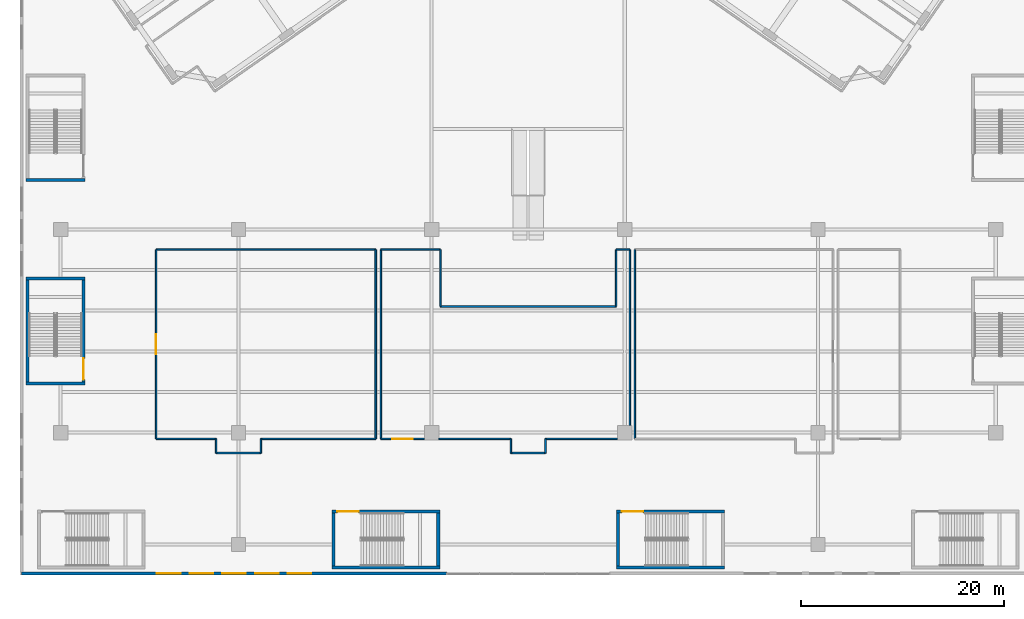
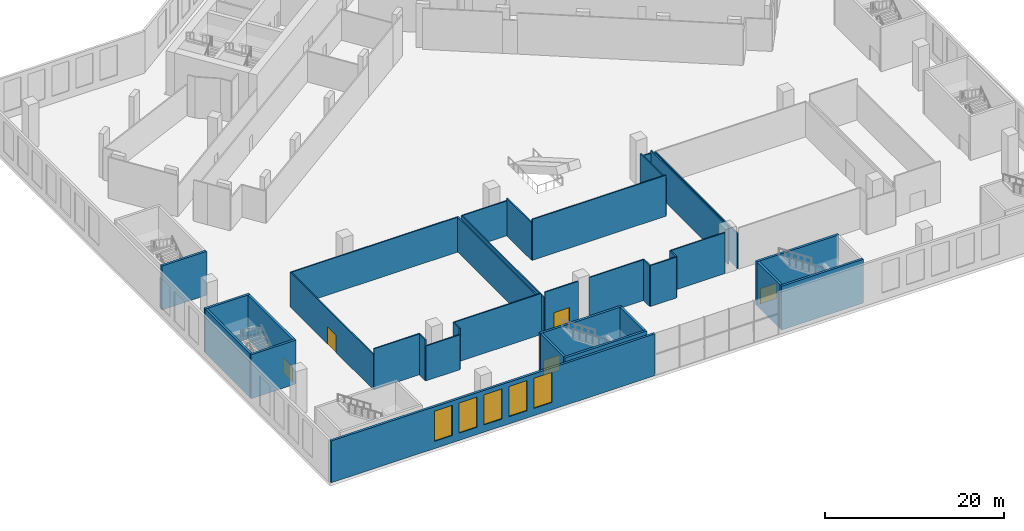
# One storey, part 5 of 25: 35 walls, 5 doors, 5 windows, 10 openings.
"""IFC4 building model written with IfcOpenShell, lengths in metres."""

from ifc_helpers import new_model, si_unit, direction, frame, frame_2d, origin, place, context, subcontext, project, spatial, rectangle, extrude, material, layer, layer_set, type_object, element, fill, save


model = new_model("IFC4")

# Units and contexts
model_context = context("Model", 3, precision=1e-05, world=origin(), true_north=direction((0.0, 1.0)))
body_context = subcontext(model_context, "Body", "Model", "MODEL_VIEW")
ifc_project = project(units=[si_unit("LENGTHUNIT", "METRE"), si_unit("AREAUNIT", "SQUARE_METRE"), si_unit("VOLUMEUNIT", "CUBIC_METRE"), si_unit("PLANEANGLEUNIT", "RADIAN"), si_unit("MASSUNIT", "GRAM", prefix="KILO")], contexts=[model_context])

# Site, building, storey
site_placement = place(None, origin())
site = spatial("IfcSite", under=ifc_project, at=site_placement, CompositionType="ELEMENT")
building_placement = place(site_placement, origin())
building = spatial("IfcBuilding", under=site, at=building_placement, Name="Tel Ilan Convention Tower", CompositionType="ELEMENT")
storey_placement = place(building_placement, frame((0.0, 0.0, 26.0)))
storey = spatial("IfcBuildingStorey", under=building, at=storey_placement, Name="L03", CompositionType="ELEMENT", Elevation=26.0)

# Walls
ifc_material_1 = material(Name="Plasterboard on Steel Studs", Category="steel")
ifc_layer_1 = layer(ifc_material_1, 0.14990234375)
ifc_layer_set_1 = layer_set([ifc_layer_1], Name="Fire-rated Partition 150 EI 60")
wall_type_1 = type_object("IfcWallType", Name="Fire-rated Partition 150 EI 60", PredefinedType="PARTITIONING", material=ifc_layer_set_1)
wall_1_placement = place(storey_placement, frame((-14.9990234375, -68.59912109375, 0.0), z_axis=(0.0, 0.0, 1.0), x_axis=(0.0, 1.0, 0.0)))
element("IfcWall", 1, at=wall_1_placement, inside=storey, type_object=wall_type_1, Name="Partition 027", PredefinedType="PARTITIONING", context=body_context, shape_type="SweptSolid", body=[
    extrude(rectangle(XDim=18.59912109375, YDim=0.14990234375, at=frame_2d((9.299560546875, 0.0))), origin(), (0.0, 0.0, 1.0), 4.780029296875),
])
wall_2_placement = place(storey_placement, frame((-15.0, -49.9990234375, 0.0), z_axis=(0.0, 0.0, 1.0), x_axis=(-1.0, 0.0, 0.0)))
element("IfcWall", 2, at=wall_2_placement, inside=storey, type_object=wall_type_1, Name="Partition 028", PredefinedType="PARTITIONING", context=body_context, shape_type="SweptSolid", body=[
    extrude(rectangle(XDim=21.59912109375, YDim=0.14990234375, at=frame_2d((10.799560546875, 0.0))), origin(), (0.0, 0.0, 1.0), 4.780029296875),
])
wall_3_placement = place(storey_placement, frame((10.0009765625, -67.280029296875, 0.0), z_axis=(0.0, 0.0, 1.0), x_axis=(0.0, 1.0, 0.0)))
element("IfcWall", 3, at=wall_3_placement, inside=storey, type_object=wall_type_1, Name="Partition 029", PredefinedType="PARTITIONING", context=body_context, shape_type="SweptSolid", body=[
    extrude(rectangle(XDim=17.280029296875, YDim=0.14990234375, at=frame_2d((8.64013671875, 0.0))), origin(), (0.0, 0.0, 1.0), 5.1298828125),
])
wall_4_placement = place(storey_placement, frame((10.0, -49.9990234375, 0.0), z_axis=(0.0, 0.0, 1.0), x_axis=(-1.0, 0.0, 0.0)))
element("IfcWall", 4, at=wall_4_placement, inside=storey, type_object=wall_type_1, Name="Partition 030", PredefinedType="PARTITIONING", context=body_context, shape_type="SweptSolid", body=[
    extrude(rectangle(XDim=1.34912109375, YDim=0.14990234375, at=frame_2d((0.674560546875, 0.0))), origin(), (0.0, 0.0, 1.0), 4.780029296875),
])
wall_5_placement = place(storey_placement, frame((-8.65087890625, -49.9990234375, 0.0), z_axis=(0.0, 0.0, 1.0), x_axis=(-1.0, 0.0, 0.0)))
element("IfcWall", 5, at=wall_5_placement, inside=storey, type_object=wall_type_1, Name="Partition 031", PredefinedType="PARTITIONING", context=body_context, shape_type="SweptSolid", body=[
    extrude(rectangle(XDim=5.84912109375, YDim=0.14990234375, at=frame_2d((2.924560546875, 0.0))), origin(), (0.0, 0.0, 1.0), 4.780029296875),
])
for number, where, z_axis, x_axis, name in (
    (6, (-14.5009765625, -50.0, 0.0), (0.0, 0.0, 1.0), (0.0, -1.0, 0.0), "Partition 032"),
    (7, (10.4990234375, -50.0, 0.0), (0.0, 0.0, 1.0), (0.0, -1.0, 0.0), "Partition 036"),
):
    element("IfcWall", number, at=place(storey_placement, frame(where, z_axis=z_axis, x_axis=x_axis)), inside=storey, type_object=wall_type_1, Name=name, PredefinedType="PARTITIONING", context=body_context, shape_type="SweptSolid", body=[
        extrude(rectangle(XDim=18.59912109375, YDim=0.14990234375, at=frame_2d((9.299560546875, 0.0))), origin(), (0.0, 0.0, 1.0), 4.780029296875),
    ])
wall_6_placement = place(storey_placement, frame((-1.698974609375, -70.0009765625, 0.0), z_axis=(0.0, 0.0, 1.0), x_axis=(1.0, 0.0, 0.0)))
element("IfcWall", 8, at=wall_6_placement, inside=storey, type_object=wall_type_1, Name="Partition 044", PredefinedType="PARTITIONING", context=body_context, shape_type="SweptSolid", body=[
    extrude(rectangle(XDim=3.39794921875, YDim=0.14990234375, at=frame_2d((1.698974609375, 0.0))), origin(), (0.0, 0.0, 1.0), 5.60009765625),
])
wall_7_placement = place(storey_placement, frame((-30.698974609375, -70.0009765625, 0.0), z_axis=(0.0, 0.0, 1.0), x_axis=(1.0, 0.0, 0.0)))
element("IfcWall", 9, at=wall_7_placement, inside=storey, type_object=wall_type_1, Name="Partition 045", PredefinedType="PARTITIONING", context=body_context, shape_type="SweptSolid", body=[
    extrude(rectangle(XDim=4.39794921875, YDim=0.14990234375, at=frame_2d((2.198974609375, 0.0))), origin(), (0.0, 0.0, 1.0), 4.780029296875),
])

# Wall, opening, door
wall_8_placement = place(storey_placement, frame((-36.60009765625, -49.998291015625, 0.0), z_axis=(0.0, 0.0, 1.0), x_axis=(0.0, -1.0, 0.0)))
wall_8 = element("IfcWall", 10, at=wall_8_placement, inside=storey, type_object=wall_type_1, Name="Partition 048", PredefinedType="PARTITIONING", context=body_context, shape_type="SweptSolid", body=[
    extrude(rectangle(XDim=18.601806640625, YDim=0.14990234375, at=frame_2d((9.30078125, 0.0))), origin(), (0.0, 0.0, 1.0), 4.780029296875),
])
opening_1_placement = place(wall_8_placement, frame((8.30078125, 0.0, 0.0)))
opening_1 = element("IfcOpeningElement", 11, at=opening_1_placement, cuts=wall_8, Name="Opening L03-007", PredefinedType="OPENING", context=body_context, shape_type="SweptSolid", body=[
    extrude(rectangle(XDim=2.0, YDim=2.39990234375, at=frame_2d((1.0, 1.199951171875))), frame((0.0, 0.0849609375, 0.0), z_axis=(0.0, -1.0, 0.0), x_axis=(1.0, 0.0, 0.0)), (0.0, 0.0, 1.0), 0.169921875),
])
ifc_material_2 = material(Name="Timber Door Leaf in Steel Frame", Category="steel")
door_type_1 = type_object("IfcDoorType", Name="Assembly Hall Double Fire Door 2000x2400", OperationType="NOTDEFINED", PredefinedType="DOOR", material=ifc_material_2)
door_1_placement = place(opening_1_placement, origin())
door_1 = element("IfcDoor", 12, at=door_1_placement, inside=storey, type_object=door_type_1, Name="Door L03-007", OperationType="DOUBLE_DOOR_SINGLE_SWING", OverallHeight=2.39990234375, OverallWidth=2.0, PredefinedType="DOOR", context=body_context, shape_type="SweptSolid", body=[
    extrude(rectangle(XDim=2.0, YDim=2.39990234375, at=frame_2d((1.0, 1.199951171875))), frame((0.0, 0.02490234375, 0.0), z_axis=(0.0, -1.0, 0.0), x_axis=(1.0, 0.0, 0.0)), (0.0, 0.0, 1.0), 0.050048828125),
])
fill(opening_1, door_1)

# Walls
wall_9_placement = place(storey_placement, frame((-36.60009765625, -68.60009765625, 0.0), z_axis=(0.0, 0.0, 1.0), x_axis=(1.0, 0.0, 0.0)))
element("IfcWall", 13, at=wall_9_placement, inside=storey, type_object=wall_type_1, Name="Partition 049", PredefinedType="PARTITIONING", context=body_context, shape_type="SweptSolid", body=[
    extrude(rectangle(XDim=5.900146484375, YDim=0.14990234375, at=frame_2d((2.9501953125, 0.0))), origin(), (0.0, 0.0, 1.0), 5.60009765625),
])
for number, where, z_axis, x_axis, name in (
    (14, (-30.699951171875, -68.60009765625, 0.0), (0.0, 0.0, 1.0), (0.0, -1.0, 0.0), "Partition 050"),
    (15, (-26.300048828125, -70.001708984375, 0.0), (0.0, 0.0, 1.0), (0.0, 1.0, 0.0), "Partition 051"),
):
    element("IfcWall", number, at=place(storey_placement, frame(where, z_axis=z_axis, x_axis=x_axis)), inside=storey, type_object=wall_type_1, Name=name, PredefinedType="PARTITIONING", context=body_context, shape_type="SweptSolid", body=[
        extrude(rectangle(XDim=1.401611328125, YDim=0.14990234375, at=frame_2d((0.70068359375, 0.0))), origin(), (0.0, 0.0, 1.0), 5.60009765625),
    ])
wall_10_placement = place(storey_placement, frame((-26.300048828125, -68.60009765625, 0.0), z_axis=(0.0, 0.0, 1.0), x_axis=(1.0, 0.0, 0.0)))
element("IfcWall", 16, at=wall_10_placement, inside=storey, type_object=wall_type_1, Name="Partition 052", PredefinedType="PARTITIONING", context=body_context, shape_type="SweptSolid", body=[
    extrude(rectangle(XDim=11.3017578125, YDim=0.14990234375, at=frame_2d((5.65087890625, 0.0))), origin(), (0.0, 0.0, 1.0), 5.60009765625),
])

# Wall, opening, door
wall_11_placement = place(storey_placement, frame((-14.501708984375, -68.60009765625, 0.0), z_axis=(0.0, 0.0, 1.0), x_axis=(1.0, 0.0, 0.0)))
wall_11 = element("IfcWall", 17, at=wall_11_placement, inside=storey, type_object=wall_type_1, Name="Partition 053", PredefinedType="PARTITIONING", context=body_context, shape_type="SweptSolid", body=[
    extrude(rectangle(XDim=4.28173828125, YDim=0.14990234375, at=frame_2d((2.140869140625, 0.0))), origin(), (0.0, 0.0, 1.0), 5.60009765625),
])
opening_2_placement = place(wall_11_placement, frame((1.140869140625, 0.0, 0.0)))
opening_2 = element("IfcOpeningElement", 18, at=opening_2_placement, cuts=wall_11, Name="Opening L03-008", PredefinedType="OPENING", context=body_context, shape_type="SweptSolid", body=[
    extrude(rectangle(XDim=2.0, YDim=2.39990234375, at=frame_2d((1.0, 1.199951171875))), frame((0.0, 0.0849609375, 0.0), z_axis=(0.0, -1.0, 0.0), x_axis=(1.0, 0.0, 0.0)), (0.0, 0.0, 1.0), 0.169921875),
])
door_2_placement = place(opening_2_placement, origin())
door_2 = element("IfcDoor", 19, at=door_2_placement, inside=storey, type_object=door_type_1, Name="Door L03-008", OperationType="DOUBLE_DOOR_SINGLE_SWING", OverallHeight=2.39990234375, OverallWidth=2.0, PredefinedType="DOOR", context=body_context, shape_type="SweptSolid", body=[
    extrude(rectangle(XDim=2.0, YDim=2.39990234375, at=frame_2d((1.0, 1.199951171875))), frame((0.0, 0.02490234375, 0.0), z_axis=(0.0, -1.0, 0.0), x_axis=(1.0, 0.0, 0.0)), (0.0, 0.0, 1.0), 0.050048828125),
])
fill(opening_2, door_2)

# Walls
wall_12_placement = place(storey_placement, frame((-8.780029296875, -68.60009765625, 0.0), z_axis=(0.0, 0.0, 1.0), x_axis=(1.0, 0.0, 0.0)))
element("IfcWall", 20, at=wall_12_placement, inside=storey, type_object=wall_type_1, Name="Partition 054", PredefinedType="PARTITIONING", context=body_context, shape_type="SweptSolid", body=[
    extrude(rectangle(XDim=7.080078125, YDim=0.14990234375, at=frame_2d((3.5400390625, 0.0))), origin(), (0.0, 0.0, 1.0), 5.60009765625),
])
for number, where, z_axis, x_axis, name in (
    (21, (-1.699951171875, -68.60009765625, 0.0), (0.0, 0.0, 1.0), (0.0, -1.0, 0.0), "Partition 055"),
    (22, (1.699951171875, -70.001708984375, 0.0), (0.0, 0.0, 1.0), (0.0, 1.0, 0.0), "Partition 056"),
):
    element("IfcWall", number, at=place(storey_placement, frame(where, z_axis=z_axis, x_axis=x_axis)), inside=storey, type_object=wall_type_1, Name=name, PredefinedType="PARTITIONING", context=body_context, shape_type="SweptSolid", body=[
        extrude(rectangle(XDim=1.401611328125, YDim=0.14990234375, at=frame_2d((0.70068359375, 0.0))), origin(), (0.0, 0.0, 1.0), 5.60009765625),
    ])
wall_13_placement = place(storey_placement, frame((1.699951171875, -68.60009765625, 0.0), z_axis=(0.0, 0.0, 1.0), x_axis=(1.0, 0.0, 0.0)))
element("IfcWall", 23, at=wall_13_placement, inside=storey, type_object=wall_type_1, Name="Partition 057", PredefinedType="PARTITIONING", context=body_context, shape_type="SweptSolid", body=[
    extrude(rectangle(XDim=7.080078125, YDim=0.14990234375, at=frame_2d((3.5400390625, 0.0))), origin(), (0.0, 0.0, 1.0), 5.60009765625),
])
wall_14_placement = place(storey_placement, frame((8.64990234375, -55.5859375, 0.0), z_axis=(0.0, 0.0, 1.0), x_axis=(-1.0, 0.0, 0.0)))
element("IfcWall", 24, at=wall_14_placement, inside=storey, type_object=wall_type_1, Name="Partition 066", PredefinedType="PARTITIONING", context=body_context, shape_type="SweptSolid", body=[
    extrude(rectangle(XDim=17.2998046875, YDim=0.14990234375, at=frame_2d((8.64990234375, 0.0))), origin(), (0.0, 0.0, 1.0), 5.60009765625),
])
for number, where, z_axis, x_axis, name in (
    (25, (-8.64990234375, -55.5859375, 0.0), (0.0, 0.0, 1.0), (0.0, 1.0, 0.0), "Partition 067"),
    (26, (8.64990234375, -49.998291015625, 0.0), (0.0, 0.0, 1.0), (0.0, -1.0, 0.0), "Partition 068"),
):
    element("IfcWall", number, at=place(storey_placement, frame(where, z_axis=z_axis, x_axis=x_axis)), inside=storey, type_object=wall_type_1, Name=name, PredefinedType="PARTITIONING", context=body_context, shape_type="SweptSolid", body=[
        extrude(rectangle(XDim=5.587646484375, YDim=0.14990234375, at=frame_2d((2.7939453125, 0.0))), origin(), (0.0, 0.0, 1.0), 5.1298828125),
    ])

# Wall, openings, windows
ifc_material_3 = material(Name="Bronze aluminium cladding panel on insulated steel frame", Category="steel")
ifc_layer_2 = layer(ifc_material_3, 0.300048828125)
ifc_layer_set_2 = layer_set([ifc_layer_2], Name="PODIUM CLADDING WALL 300")
wall_type_2 = type_object("IfcWallType", Name="PODIUM CLADDING WALL 300", PredefinedType="SOLIDWALL", material=ifc_layer_set_2)
wall_15_placement = place(storey_placement, frame((-49.85009765625, -81.85009765625, 0.0), z_axis=(0.0, 0.0, 1.0), x_axis=(1.0, 0.0, 0.0)))
wall_15 = element("IfcWall", 27, at=wall_15_placement, inside=storey, type_object=wall_type_2, Name="Podium cladding wall", PredefinedType="SOLIDWALL", context=body_context, shape_type="SweptSolid", body=[
    extrude(rectangle(XDim=41.85009765625, YDim=0.300048828125, at=frame_2d((20.925048828125, 0.0))), origin(), (0.0, 0.0, 1.0), 5.719970703125),
])
opening_3_placement = place(wall_15_placement, frame((13.326904296875, 0.0, 1.0)))
opening_3 = element("IfcOpeningElement", 28, at=opening_3_placement, cuts=wall_15, Name="Opening W-06.001", PredefinedType="OPENING", context=body_context, shape_type="SweptSolid", body=[
    extrude(rectangle(XDim=2.3193359375, YDim=4.1201171875, at=frame_2d((1.15966796875, 2.06005859375))), frame((0.0, 0.159912109375, 0.0), z_axis=(0.0, -1.0, 0.0), x_axis=(1.0, 0.0, 0.0)), (0.0, 0.0, 1.0), 0.320068359375),
])
opening_4_placement = place(wall_15_placement, frame((16.546142578125, 0.0, 1.0)))
opening_4 = element("IfcOpeningElement", 29, at=opening_4_placement, cuts=wall_15, Name="Opening W-06.002", PredefinedType="OPENING", context=body_context, shape_type="SweptSolid", body=[
    extrude(rectangle(XDim=2.3193359375, YDim=4.1201171875, at=frame_2d((1.15966796875, 2.06005859375))), frame((0.0, 0.159912109375, 0.0), z_axis=(0.0, -1.0, 0.0), x_axis=(1.0, 0.0, 0.0)), (0.0, 0.0, 1.0), 0.320068359375),
])
opening_5_placement = place(wall_15_placement, frame((19.765380859375, 0.0, 1.0)))
opening_5 = element("IfcOpeningElement", 30, at=opening_5_placement, cuts=wall_15, Name="Opening W-06.003", PredefinedType="OPENING", context=body_context, shape_type="SweptSolid", body=[
    extrude(rectangle(XDim=2.3193359375, YDim=4.1201171875, at=frame_2d((1.15966796875, 2.06005859375))), frame((0.0, 0.159912109375, 0.0), z_axis=(0.0, -1.0, 0.0), x_axis=(1.0, 0.0, 0.0)), (0.0, 0.0, 1.0), 0.320068359375),
])
opening_6_placement = place(wall_15_placement, frame((22.984619140625, 0.0, 1.0)))
opening_6 = element("IfcOpeningElement", 31, at=opening_6_placement, cuts=wall_15, Name="Opening W-06.004", PredefinedType="OPENING", context=body_context, shape_type="SweptSolid", body=[
    extrude(rectangle(XDim=2.3193359375, YDim=4.1201171875, at=frame_2d((1.15966796875, 2.06005859375))), frame((0.0, 0.159912109375, 0.0), z_axis=(0.0, -1.0, 0.0), x_axis=(1.0, 0.0, 0.0)), (0.0, 0.0, 1.0), 0.320068359375),
])
opening_7_placement = place(wall_15_placement, frame((26.203857421875, 0.0, 1.0)))
opening_7 = element("IfcOpeningElement", 32, at=opening_7_placement, cuts=wall_15, Name="Opening W-06.005", PredefinedType="OPENING", context=body_context, shape_type="SweptSolid", body=[
    extrude(rectangle(XDim=2.3193359375, YDim=4.1201171875, at=frame_2d((1.15966796875, 2.06005859375))), frame((0.0, 0.159912109375, 0.0), z_axis=(0.0, -1.0, 0.0), x_axis=(1.0, 0.0, 0.0)), (0.0, 0.0, 1.0), 0.320068359375),
])
ifc_material_4 = material(Name="Aluminium framed glazing, bronze anodised, tinted glass", Category="aluminium")
window_type = type_object("IfcWindowType", Name="PODIUM WINDOW 2319x4120", PartitioningType="SINGLE_PANEL", PredefinedType="WINDOW", material=ifc_material_4)
window_1_placement = place(opening_3_placement, origin())
window_1 = element("IfcWindow", 33, at=window_1_placement, inside=storey, type_object=window_type, Name="Podium window", OverallHeight=4.1201171875, OverallWidth=2.3193359375, PartitioningType="SINGLE_PANEL", PredefinedType="WINDOW", context=body_context, shape_type="SweptSolid", body=[
    extrude(rectangle(XDim=2.3193359375, YDim=4.1201171875, at=frame_2d((1.15966796875, 2.06005859375))), frame((0.0, 0.030029296875, 0.0), z_axis=(0.0, -1.0, 0.0), x_axis=(1.0, 0.0, 0.0)), (0.0, 0.0, 1.0), 0.06005859375),
])
fill(opening_3, window_1)
window_2_placement = place(opening_4_placement, origin())
window_2 = element("IfcWindow", 34, at=window_2_placement, inside=storey, type_object=window_type, Name="Podium window", OverallHeight=4.1201171875, OverallWidth=2.3193359375, PartitioningType="SINGLE_PANEL", PredefinedType="WINDOW", context=body_context, shape_type="SweptSolid", body=[
    extrude(rectangle(XDim=2.3193359375, YDim=4.1201171875, at=frame_2d((1.15966796875, 2.06005859375))), frame((0.0, 0.030029296875, 0.0), z_axis=(0.0, -1.0, 0.0), x_axis=(1.0, 0.0, 0.0)), (0.0, 0.0, 1.0), 0.06005859375),
])
fill(opening_4, window_2)
window_3_placement = place(opening_5_placement, origin())
window_3 = element("IfcWindow", 35, at=window_3_placement, inside=storey, type_object=window_type, Name="Podium window", OverallHeight=4.1201171875, OverallWidth=2.3193359375, PartitioningType="SINGLE_PANEL", PredefinedType="WINDOW", context=body_context, shape_type="SweptSolid", body=[
    extrude(rectangle(XDim=2.3193359375, YDim=4.1201171875, at=frame_2d((1.15966796875, 2.06005859375))), frame((0.0, 0.030029296875, 0.0), z_axis=(0.0, -1.0, 0.0), x_axis=(1.0, 0.0, 0.0)), (0.0, 0.0, 1.0), 0.06005859375),
])
fill(opening_5, window_3)
window_4_placement = place(opening_6_placement, origin())
window_4 = element("IfcWindow", 36, at=window_4_placement, inside=storey, type_object=window_type, Name="Podium window", OverallHeight=4.1201171875, OverallWidth=2.3193359375, PartitioningType="SINGLE_PANEL", PredefinedType="WINDOW", context=body_context, shape_type="SweptSolid", body=[
    extrude(rectangle(XDim=2.3193359375, YDim=4.1201171875, at=frame_2d((1.15966796875, 2.06005859375))), frame((0.0, 0.030029296875, 0.0), z_axis=(0.0, -1.0, 0.0), x_axis=(1.0, 0.0, 0.0)), (0.0, 0.0, 1.0), 0.06005859375),
])
fill(opening_6, window_4)
window_5_placement = place(opening_7_placement, origin())
window_5 = element("IfcWindow", 37, at=window_5_placement, inside=storey, type_object=window_type, Name="Podium window", OverallHeight=4.1201171875, OverallWidth=2.3193359375, PartitioningType="SINGLE_PANEL", PredefinedType="WINDOW", context=body_context, shape_type="SweptSolid", body=[
    extrude(rectangle(XDim=2.3193359375, YDim=4.1201171875, at=frame_2d((1.15966796875, 2.06005859375))), frame((0.0, 0.030029296875, 0.0), z_axis=(0.0, -1.0, 0.0), x_axis=(1.0, 0.0, 0.0)), (0.0, 0.0, 1.0), 0.06005859375),
])
fill(opening_7, window_5)

# Wall
ifc_material_5 = material(Name="Concrete C40/50", Category="concrete")
ifc_layer_3 = layer(ifc_material_5, 0.300048828125)
ifc_layer_set_3 = layer_set([ifc_layer_3], Name="Stair Enclosure Wall 300 mm C40/50")
wall_type_3 = type_object("IfcWallType", Name="Stair Enclosure Wall 300 mm C40/50", PredefinedType="SOLIDWALL", material=ifc_layer_set_3)
wall_16_placement = place(storey_placement, frame((-19.300048828125, -81.25, 0.0), z_axis=(0.0, 0.0, 1.0), x_axis=(1.0, 0.0, 0.0)))
element("IfcWall", 38, at=wall_16_placement, inside=storey, type_object=wall_type_3, Name="P2 stair enclosure wall S L03", PredefinedType="SOLIDWALL", context=body_context, shape_type="SweptSolid", body=[
    extrude(rectangle(XDim=10.60009765625, YDim=0.300048828125, at=frame_2d((5.300048828125, 0.0))), origin(), (0.0, 0.0, 1.0), 6.0),
])

# Wall, opening, door
wall_17_placement = place(storey_placement, frame((-19.300048828125, -75.75, 0.0), z_axis=(0.0, 0.0, 1.0), x_axis=(1.0, 0.0, 0.0)))
wall_17 = element("IfcWall", 39, at=wall_17_placement, inside=storey, type_object=wall_type_3, Name="P2 stair enclosure wall N L03", PredefinedType="SOLIDWALL", context=body_context, shape_type="SweptSolid", body=[
    extrude(rectangle(XDim=10.60009765625, YDim=0.300048828125, at=frame_2d((5.300048828125, 0.0))), origin(), (0.0, 0.0, 1.0), 6.0),
])
opening_8_placement = place(wall_17_placement, frame((0.512451171875, 0.0, 0.0)))
opening_8 = element("IfcOpeningElement", 40, at=opening_8_placement, cuts=wall_17, Name="Opening PD206", PredefinedType="OPENING", context=body_context, shape_type="SweptSolid", body=[
    extrude(rectangle(XDim=2.10009765625, YDim=2.10009765625, at=frame_2d((1.050048828125, 1.050048828125))), frame((0.0, 0.159912109375, 0.0), z_axis=(0.0, -1.0, 0.0), x_axis=(1.0, 0.0, 0.0)), (0.0, 0.0, 1.0), 0.320068359375),
])
ifc_material_6 = material(Name="Galvanised Steel Door Leaf", Category="steel")
door_type_2 = type_object("IfcDoorType", Name="Stair Fire Door 2100 x 2100 FD60S", OperationType="NOTDEFINED", PredefinedType="DOOR", material=ifc_material_6)
door_3_placement = place(opening_8_placement, origin())
door_3 = element("IfcDoor", 41, at=door_3_placement, inside=storey, type_object=door_type_2, Name="Stair P2 floor door", OperationType="DOUBLE_DOOR_SINGLE_SWING", OverallHeight=2.10009765625, OverallWidth=2.10009765625, PredefinedType="DOOR", context=body_context, shape_type="SweptSolid", body=[
    extrude(rectangle(XDim=2.10009765625, YDim=2.10009765625, at=frame_2d((1.050048828125, 1.050048828125))), frame((0.0, 0.02490234375, 0.0), z_axis=(0.0, -1.0, 0.0), x_axis=(1.0, 0.0, 0.0)), (0.0, 0.0, 1.0), 0.050048828125),
])
fill(opening_8, door_3)

# Walls
for number, where, z_axis, x_axis, name in (
    (42, (-19.14990234375, -81.10009765625, 0.0), (0.0, 0.0, 1.0), (0.0, 1.0, 0.0), "P2 stair enclosure wall W L03"),
    (43, (-8.85009765625, -81.10009765625, 0.0), (0.0, 0.0, 1.0), (0.0, 1.0, 0.0), "P2 stair enclosure wall E L03"),
):
    element("IfcWall", number, at=place(storey_placement, frame(where, z_axis=z_axis, x_axis=x_axis)), inside=storey, type_object=wall_type_3, Name=name, PredefinedType="SOLIDWALL", context=body_context, shape_type="SweptSolid", body=[
        extrude(rectangle(XDim=5.2001953125, YDim=0.300048828125, at=frame_2d((2.60009765625, 0.0))), origin(), (0.0, 0.0, 1.0), 6.0),
    ])
wall_18_placement = place(storey_placement, frame((8.699951171875, -81.25, 0.0), z_axis=(0.0, 0.0, 1.0), x_axis=(1.0, 0.0, 0.0)))
element("IfcWall", 44, at=wall_18_placement, inside=storey, type_object=wall_type_3, Name="P3 stair enclosure wall S L03", PredefinedType="SOLIDWALL", context=body_context, shape_type="SweptSolid", body=[
    extrude(rectangle(XDim=10.60009765625, YDim=0.300048828125, at=frame_2d((5.300048828125, 0.0))), origin(), (0.0, 0.0, 1.0), 6.0),
])

# Wall, opening, door
wall_19_placement = place(storey_placement, frame((8.699951171875, -75.75, 0.0), z_axis=(0.0, 0.0, 1.0), x_axis=(1.0, 0.0, 0.0)))
wall_19 = element("IfcWall", 45, at=wall_19_placement, inside=storey, type_object=wall_type_3, Name="P3 stair enclosure wall N L03", PredefinedType="SOLIDWALL", context=body_context, shape_type="SweptSolid", body=[
    extrude(rectangle(XDim=10.60009765625, YDim=0.300048828125, at=frame_2d((5.300048828125, 0.0))), origin(), (0.0, 0.0, 1.0), 6.0),
])
opening_9_placement = place(wall_19_placement, frame((0.512451171875, 0.0, 0.0)))
opening_9 = element("IfcOpeningElement", 46, at=opening_9_placement, cuts=wall_19, Name="Opening PD306", PredefinedType="OPENING", context=body_context, shape_type="SweptSolid", body=[
    extrude(rectangle(XDim=2.10009765625, YDim=2.10009765625, at=frame_2d((1.050048828125, 1.050048828125))), frame((0.0, 0.159912109375, 0.0), z_axis=(0.0, -1.0, 0.0), x_axis=(1.0, 0.0, 0.0)), (0.0, 0.0, 1.0), 0.320068359375),
])
door_4_placement = place(opening_9_placement, origin())
door_4 = element("IfcDoor", 47, at=door_4_placement, inside=storey, type_object=door_type_2, Name="Stair P3 floor door", OperationType="DOUBLE_DOOR_SINGLE_SWING", OverallHeight=2.10009765625, OverallWidth=2.10009765625, PredefinedType="DOOR", context=body_context, shape_type="SweptSolid", body=[
    extrude(rectangle(XDim=2.10009765625, YDim=2.10009765625, at=frame_2d((1.050048828125, 1.050048828125))), frame((0.0, 0.02490234375, 0.0), z_axis=(0.0, -1.0, 0.0), x_axis=(1.0, 0.0, 0.0)), (0.0, 0.0, 1.0), 0.050048828125),
])
fill(opening_9, door_4)

# Walls
wall_20_placement = place(storey_placement, frame((8.85009765625, -81.10009765625, 0.0), z_axis=(0.0, 0.0, 1.0), x_axis=(0.0, 1.0, 0.0)))
element("IfcWall", 48, at=wall_20_placement, inside=storey, type_object=wall_type_3, Name="P3 stair enclosure wall W L03", PredefinedType="SOLIDWALL", context=body_context, shape_type="SweptSolid", body=[
    extrude(rectangle(XDim=5.2001953125, YDim=0.300048828125, at=frame_2d((2.60009765625, 0.0))), origin(), (0.0, 0.0, 1.0), 6.0),
])
for number, where, z_axis, x_axis, name in (
    (49, (-49.39990234375, -63.14990234375, 0.0), (0.0, 0.0, 1.0), (1.0, 0.0, 0.0), "P5 stair enclosure wall S L03"),
    (50, (-49.39990234375, -52.85009765625, 0.0), (0.0, 0.0, 1.0), (1.0, 0.0, 0.0), "P5 stair enclosure wall N L03"),
):
    element("IfcWall", number, at=place(storey_placement, frame(where, z_axis=z_axis, x_axis=x_axis)), inside=storey, type_object=wall_type_3, Name=name, PredefinedType="SOLIDWALL", context=body_context, shape_type="SweptSolid", body=[
        extrude(rectangle(XDim=5.7998046875, YDim=0.300048828125, at=frame_2d((2.89990234375, 0.0))), origin(), (0.0, 0.0, 1.0), 6.0),
    ])
wall_21_placement = place(storey_placement, frame((-49.25, -63.0, 0.0), z_axis=(0.0, 0.0, 1.0), x_axis=(0.0, 1.0, 0.0)))
element("IfcWall", 51, at=wall_21_placement, inside=storey, type_object=wall_type_3, Name="P5 stair enclosure wall W L03", PredefinedType="SOLIDWALL", context=body_context, shape_type="SweptSolid", body=[
    extrude(rectangle(XDim=10.0, YDim=0.300048828125, at=frame_2d((5.0, 0.0))), origin(), (0.0, 0.0, 1.0), 6.0),
])

# Wall, opening, door
wall_22_placement = place(storey_placement, frame((-43.75, -63.0, 0.0), z_axis=(0.0, 0.0, 1.0), x_axis=(0.0, 1.0, 0.0)))
wall_22 = element("IfcWall", 52, at=wall_22_placement, inside=storey, type_object=wall_type_3, Name="P5 stair enclosure wall E L03", PredefinedType="SOLIDWALL", context=body_context, shape_type="SweptSolid", body=[
    extrude(rectangle(XDim=10.0, YDim=0.300048828125, at=frame_2d((5.0, 0.0))), origin(), (0.0, 0.0, 1.0), 6.0),
])
opening_10_placement = place(wall_22_placement, frame((0.21240234375, 0.0, 0.0)))
opening_10 = element("IfcOpeningElement", 53, at=opening_10_placement, cuts=wall_22, Name="Opening PD506", PredefinedType="OPENING", context=body_context, shape_type="SweptSolid", body=[
    extrude(rectangle(XDim=2.10009765625, YDim=2.10009765625, at=frame_2d((1.050048828125, 1.050048828125))), frame((0.0, 0.159912109375, 0.0), z_axis=(0.0, -1.0, 0.0), x_axis=(1.0, 0.0, 0.0)), (0.0, 0.0, 1.0), 0.320068359375),
])
door_5_placement = place(opening_10_placement, origin())
door_5 = element("IfcDoor", 54, at=door_5_placement, inside=storey, type_object=door_type_2, Name="Stair P5 floor door", OperationType="DOUBLE_DOOR_SINGLE_SWING", OverallHeight=2.10009765625, OverallWidth=2.10009765625, PredefinedType="DOOR", context=body_context, shape_type="SweptSolid", body=[
    extrude(rectangle(XDim=2.10009765625, YDim=2.10009765625, at=frame_2d((1.050048828125, 1.050048828125))), frame((0.0, 0.02490234375, 0.0), z_axis=(0.0, -1.0, 0.0), x_axis=(1.0, 0.0, 0.0)), (0.0, 0.0, 1.0), 0.050048828125),
])
fill(opening_10, door_5)

# Wall
wall_23_placement = place(storey_placement, frame((-49.39990234375, -43.14990234375, 0.0), z_axis=(0.0, 0.0, 1.0), x_axis=(1.0, 0.0, 0.0)))
element("IfcWall", 55, at=wall_23_placement, inside=storey, type_object=wall_type_3, Name="P7 stair enclosure wall S L03", PredefinedType="SOLIDWALL", context=body_context, shape_type="SweptSolid", body=[
    extrude(rectangle(XDim=5.7998046875, YDim=0.300048828125, at=frame_2d((2.89990234375, 0.0))), origin(), (0.0, 0.0, 1.0), 6.0),
])

save(model, "model.ifc")
